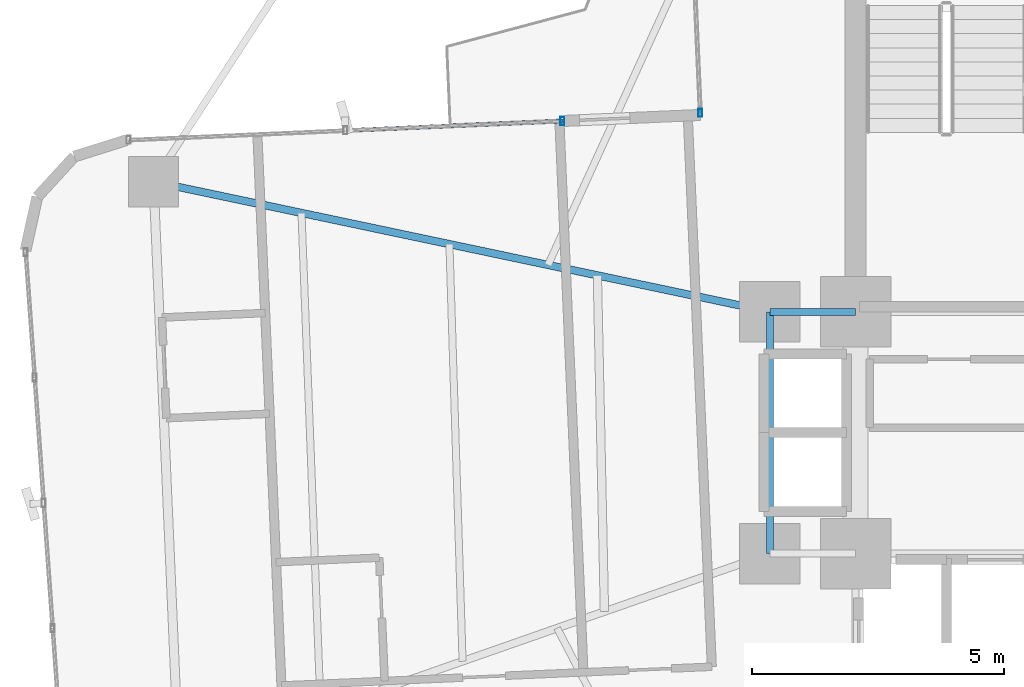
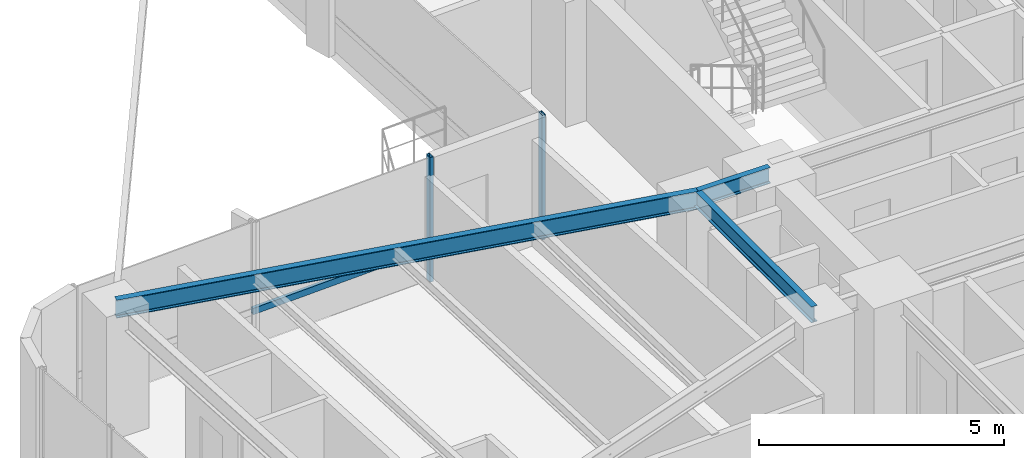
# One storey, part 10 of 26: 3 beams, 3 members, 2 elements without a shape of their own.
"""IFC4 building model written with IfcOpenShell, lengths in metres."""

from ifc_helpers import new_model, si_unit, direction, frame, origin, origin_2d, place, context, subcontext, project, spatial, hollow_rectangle, i_section, extrude, source, transform, mapped, material, material_profile, profile_set, type_object, element, aggregate, save


model = new_model("IFC4")

# Units and contexts
model_context = context("Model", 3, precision=1e-05, world=origin(), true_north=direction((0.0, 1.0)))
body_context = subcontext(model_context, "Body", "Model", "MODEL_VIEW")
ifc_project = project(units=[si_unit("LENGTHUNIT", "METRE"), si_unit("AREAUNIT", "SQUARE_METRE"), si_unit("VOLUMEUNIT", "CUBIC_METRE"), si_unit("PLANEANGLEUNIT", "RADIAN"), si_unit("MASSUNIT", "GRAM", prefix="KILO")], contexts=[model_context])

# Site, building, storey
site_placement = place(None, origin())
site = spatial("IfcSite", under=ifc_project, at=site_placement, CompositionType="ELEMENT")
building_placement = place(site_placement, origin())
building = spatial("IfcBuilding", under=site, at=building_placement, Name="Sahyath Konkavel Grand Hotel", CompositionType="ELEMENT")
storey_placement = place(building_placement, frame((0.0, 0.0, 83.5)))
storey = spatial("IfcBuildingStorey", under=building, at=storey_placement, Name="L22", CompositionType="ELEMENT", Elevation=83.5)

# Beams
ifc_material_1 = material(Name="Steel E350", Category="steel")
ifc_material_profile_1 = material_profile(ifc_material_1, i_section(OverallWidth=0.139892578125, OverallDepth=0.39990234375, WebThickness=0.0087890625, FlangeThickness=0.01611328125, FilletRadius=0.013916015625, at=origin_2d()), Name="ISMB 400")
ifc_profile_set_1 = profile_set([ifc_material_profile_1], Name="Steel E350")
beam_type_1 = type_object("IfcBeamType", Name="BM-ISMB400", PredefinedType="BEAM", material=ifc_profile_set_1)
shared_shape_1 = source(origin(), body_context, "Body", "SweptSolid", [
    extrude(i_section(OverallWidth=0.139892578125, OverallDepth=0.39990234375, WebThickness=0.0087890625, FlangeThickness=0.01611328125, FilletRadius=0.013916015625, at=origin_2d()), origin(), (0.0, 0.0, 1.0), 1.699951171875),
])
beam_1_placement = place(storey_placement, frame((-5.5, 2.39990234375, 2.909912109375), z_axis=(1.0, 0.0, 0.0), x_axis=(0.0, 1.0, 0.0)))
element("IfcBeam", 1, at=beam_1_placement, inside=storey, type_object=beam_type_1, Name="str:bm:L22:HB-NW", PredefinedType="BEAM", context=body_context, shape_type="MappedRepresentation", body=[
    mapped(shared_shape_1, transform((0.0, 0.0, 0.0), scale=1.0)),
])
shared_shape_2 = source(origin(), body_context, "Body", "SweptSolid", [
    extrude(i_section(OverallWidth=0.139892578125, OverallDepth=0.39990234375, WebThickness=0.0087890625, FlangeThickness=0.01611328125, FilletRadius=0.013916015625, at=origin_2d()), origin(), (0.0, 0.0, 1.0), 4.7998046875),
])
beam_2_placement = place(storey_placement, frame((-5.5, -2.39990234375, 2.909912109375), z_axis=(0.0, 1.0, 0.0), x_axis=(-1.0, 0.0, 0.0)))
element("IfcBeam", 2, at=beam_2_placement, inside=storey, type_object=beam_type_1, Name="str:bm:L22:HB-W", PredefinedType="BEAM", context=body_context, shape_type="MappedRepresentation", body=[
    mapped(shared_shape_2, transform((0.0, 0.0, 0.0), scale=1.0)),
])
ifc_material_profile_2 = material_profile(ifc_material_1, i_section(OverallWidth=0.14990234375, OverallDepth=0.449951171875, WebThickness=0.009521484375, FlangeThickness=0.017333984375, FilletRadius=0.014892578125, at=origin_2d()), Name="ISMB 450")
ifc_profile_set_2 = profile_set([ifc_material_profile_2], Name="Steel E350")
beam_type_2 = type_object("IfcBeamType", Name="BM-ISMB450", PredefinedType="BEAM", material=ifc_profile_set_2)
shared_shape_3 = source(origin(), body_context, "Body", "SweptSolid", [
    extrude(i_section(OverallWidth=0.14990234375, OverallDepth=0.449951171875, WebThickness=0.009521484375, FlangeThickness=0.017333984375, FilletRadius=0.014892578125, at=origin_2d()), origin(), (0.0, 0.0, 1.0), 12.50341796875),
])
beam_3_placement = place(storey_placement, frame((-5.5, 2.39990234375, 2.885009765625), z_axis=(-0.978457911392, 0.206446398937, 0.0), x_axis=(-0.206446398937, -0.978457911392, 0.0)))
element("IfcBeam", 3, at=beam_3_placement, inside=storey, type_object=beam_type_2, Name="L22 Cruciform Radial Girder WA", PredefinedType="BEAM", context=body_context, shape_type="MappedRepresentation", body=[
    mapped(shared_shape_3, transform((0.0, 0.0, 0.0), scale=1.0)),
])

# Curtain wall, member
ifc_material_2 = material(Name="Anodised Bronze Aluminium & Low-E Glazing", Category="aluminium")
curtain_wall_type = type_object("IfcCurtainWallType", Name="CW-ZONE2", PredefinedType="NOTDEFINED", material=ifc_material_2)
curtain_wall_1_placement = place(storey_placement, origin())
curtain_wall_1 = element("IfcCurtainWall", 4, at=curtain_wall_1_placement, inside=storey, type_object=curtain_wall_type, Name="L22 Unitised Curtain Wall F15", PredefinedType="NOTDEFINED")
ifc_material_3 = material(Name="Anodised Bronze Aluminium", Category="aluminium")
ifc_material_profile_3 = material_profile(ifc_material_3, hollow_rectangle(XDim=0.080078125, YDim=0.159912109375, WallThickness=0.006103515625, at=origin_2d()), Name="RHS 160x80x6")
ifc_profile_set_3 = profile_set([ifc_material_profile_3], Name="Anodised Bronze Aluminium")
member_type_1 = type_object("IfcMemberType", Name="CW-MUL-160", PredefinedType="MULLION", material=ifc_profile_set_3)
shared_shape_4 = source(origin(), body_context, "Body", "SweptSolid", [
    extrude(hollow_rectangle(XDim=0.080078125, YDim=0.159912109375, WallThickness=0.006103515625, at=origin_2d()), origin(), (0.0, 0.0, 1.0), 3.110107421875),
])
member_1_placement = place(storey_placement, frame((-6.88330078125, 6.345703125, 0.0), z_axis=(0.0, 0.0, 1.0), x_axis=(1.0, 0.0, 0.0)))
member_1 = element("IfcMember", 5, at=member_1_placement, type_object=member_type_1, Name="L22 Curtain Wall Mullion F15-2", PredefinedType="MULLION", context=body_context, shape_type="MappedRepresentation", body=[
    mapped(shared_shape_4, transform((0.0, 0.0, 0.0), scale=1.0)),
])
aggregate(curtain_wall_1, [member_1])

# Curtain wall, members
curtain_wall_2_placement = place(storey_placement, origin())
curtain_wall_2 = element("IfcCurtainWall", 6, at=curtain_wall_2_placement, inside=storey, type_object=curtain_wall_type, Name="L22 Unitised Curtain Wall F16", PredefinedType="NOTDEFINED")
member_2_placement = place(storey_placement, frame((-9.618896484375, 6.186279296875, 0.0), z_axis=(0.0, 0.0, 1.0), x_axis=(1.0, 0.0, 0.0)))
member_2 = element("IfcMember", 7, at=member_2_placement, type_object=member_type_1, Name="L22 Curtain Wall Mullion F16-0", PredefinedType="MULLION", context=body_context, shape_type="MappedRepresentation", body=[
    mapped(shared_shape_4, transform((0.0, 0.0, 0.0), scale=1.0)),
])
ifc_material_profile_4 = material_profile(ifc_material_3, hollow_rectangle(XDim=0.080078125, YDim=0.159912109375, WallThickness=0.006103515625, at=origin_2d()), Name="RHS 160x80x6")
ifc_profile_set_4 = profile_set([ifc_material_profile_4], Name="Anodised Bronze Aluminium")
member_type_2 = type_object("IfcMemberType", Name="CW-TRN-160", PredefinedType="USERDEFINED", material=ifc_profile_set_4)
shared_shape_5 = source(origin(), body_context, "Body", "SweptSolid", [
    extrude(hollow_rectangle(XDim=0.080078125, YDim=0.159912109375, WallThickness=0.006103515625, at=origin_2d()), origin(), (0.0, 0.0, 1.0), 4.31005859375),
])
member_3_placement = place(storey_placement, frame((-9.618896484375, 6.186279296875, 0.85009765625), z_axis=(-0.999048340188, -0.043616670746, 0.0), x_axis=(0.043616670746, -0.999048340188, 0.0)))
member_3 = element("IfcMember", 8, at=member_3_placement, type_object=member_type_2, Name="L22 Curtain Wall Transom F16-0-spandrel", ObjectType="TRANSOM", PredefinedType="USERDEFINED", context=body_context, shape_type="MappedRepresentation", body=[
    mapped(shared_shape_5, transform((0.0, 0.0, 0.0), scale=1.0)),
])
aggregate(curtain_wall_2, [member_2, member_3])

save(model, "model.ifc")
